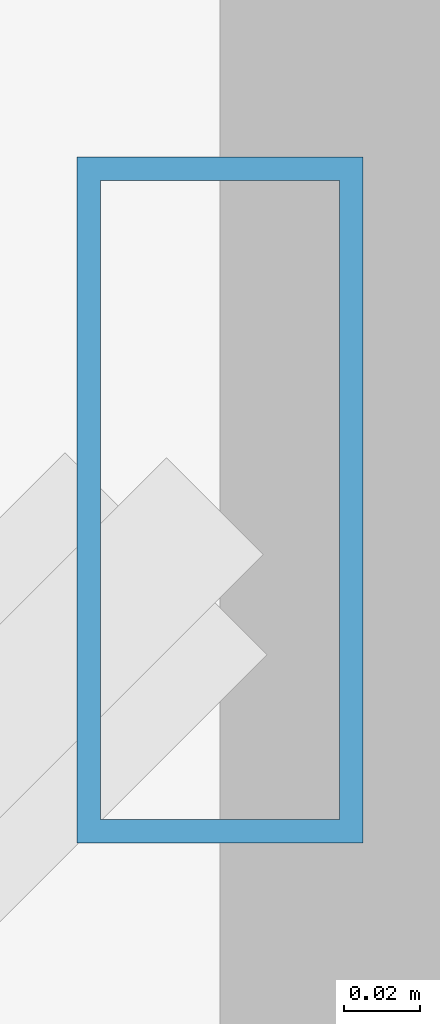
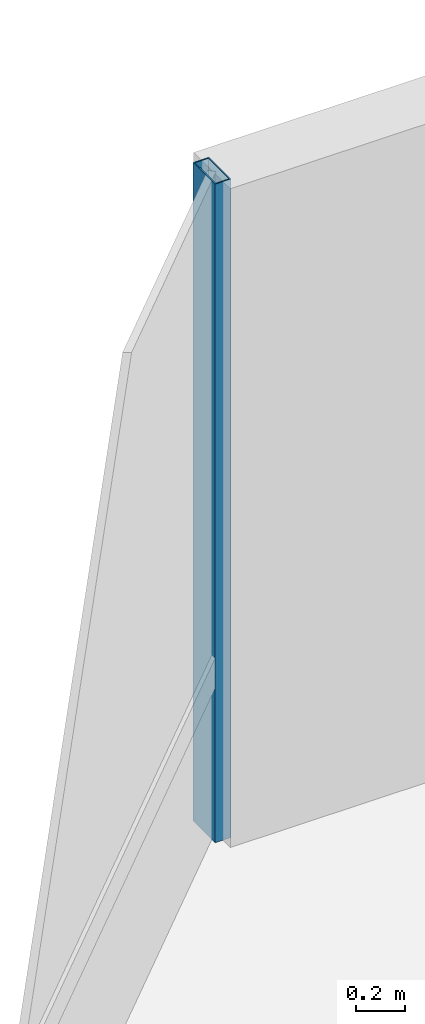
# One storey, part 24 of 42: 1 member, 1 element without a shape of its own.
"""IFC4 building model written with IfcOpenShell, lengths in metres."""

from ifc_helpers import new_model, si_unit, direction, frame, origin, origin_2d, place, context, subcontext, project, spatial, hollow_rectangle, extrude, material, material_profile, profile_set, type_object, element, aggregate, save


model = new_model("IFC4")

# Units and contexts
model_context = context("Model", 3, precision=1e-05, world=origin(), true_north=direction((0.0, 1.0)))
body_context = subcontext(model_context, "Body", "Model", "MODEL_VIEW")
ifc_project = project(units=[si_unit("LENGTHUNIT", "METRE"), si_unit("AREAUNIT", "SQUARE_METRE"), si_unit("VOLUMEUNIT", "CUBIC_METRE"), si_unit("PLANEANGLEUNIT", "RADIAN"), si_unit("MASSUNIT", "GRAM", prefix="KILO")], contexts=[model_context])

# Site, building, storey
site_placement = place(None, origin())
site = spatial("IfcSite", under=ifc_project, at=site_placement, CompositionType="ELEMENT")
building_placement = place(site_placement, origin())
building = spatial("IfcBuilding", under=site, at=building_placement, Name="Thornwick Lancets Civic Towers", CompositionType="ELEMENT")
storey_placement = place(building_placement, frame((0.0, 0.0, 221.699951171875)))
storey = spatial("IfcBuildingStorey", under=building, at=storey_placement, Name="L59", CompositionType="ELEMENT", Elevation=221.699951171875)

# Curtain wall, member
ifc_material_1 = material(Name="High-zone chamfered-corner unitised glass curtain wall", Category="glass")
curtain_wall_type = type_object("IfcCurtainWallType", Name="CW_SYS_05", PredefinedType="NOTDEFINED", material=ifc_material_1)
curtain_wall_placement = place(storey_placement, origin())
curtain_wall = element("IfcCurtainWall", 1, at=curtain_wall_placement, inside=storey, type_object=curtain_wall_type, Name="L59 Curtain Wall CW-L59-B-E5", PredefinedType="NOTDEFINED")
ifc_material_2 = material(Name="Thermally broken bronze aluminium S355", Category="steel")
ifc_material_profile = material_profile(ifc_material_2, hollow_rectangle(XDim=0.074951171875, YDim=0.179931640625, WallThickness=0.006103515625, at=origin_2d()), Name="RHS 180x75x6")
ifc_profile_set = profile_set([ifc_material_profile], Name="Thermally broken bronze aluminium S355")
member_type = type_object("IfcMemberType", Name="CW_MUL_180", PredefinedType="MULLION", material=ifc_profile_set)
member_placement = place(storey_placement, frame((67.318603515625, 44.7646484375, 0.0), z_axis=(0.0, 0.0, 1.0), x_axis=(1.0, 0.0, 0.0)))
member = element("IfcMember", 2, at=member_placement, type_object=member_type, Name="CW-L59-B-E5 Mullion 0", PredefinedType="MULLION", context=body_context, shape_type="SweptSolid", body=[
    extrude(hollow_rectangle(XDim=0.074951171875, YDim=0.179931640625, WallThickness=0.006103515625, at=origin_2d()), origin(), (0.0, 0.0, 1.0), 3.300048828125),
])
aggregate(curtain_wall, [member])

save(model, "model.ifc")
